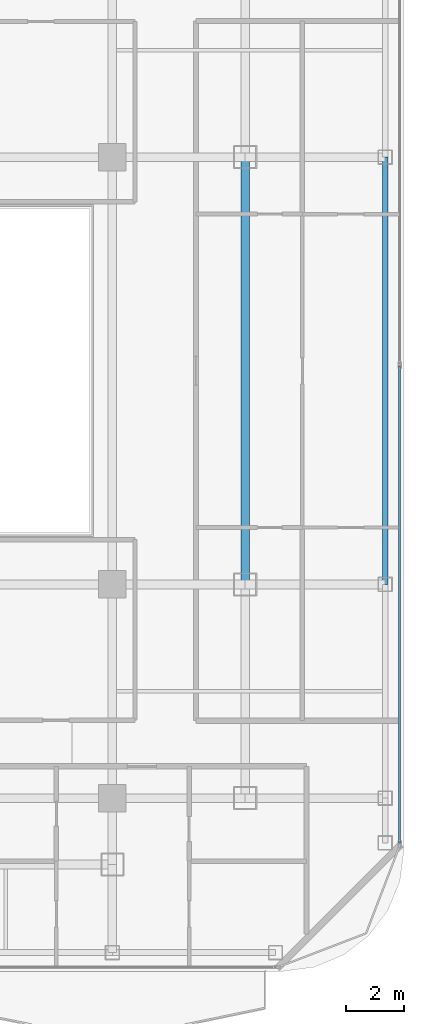
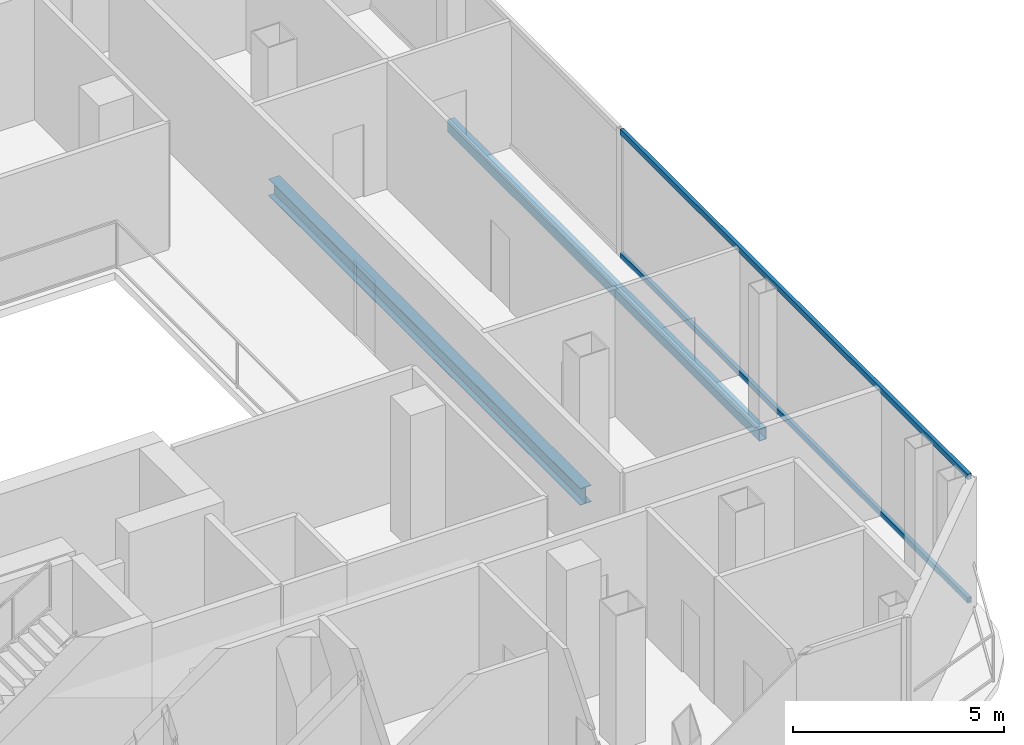
# One storey, part 8 of 23: 2 beams, 2 members, 1 element without a shape of its own.
"""IFC4 building model written with IfcOpenShell, lengths in metres."""

import ifcopenshell
import ifcopenshell.guid

model = None  # the IFC model being written
_history = None  # IfcOwnerHistory: only IFC2X3 demands one
_inside = {}  # id of a spatial element -> (the spatial element, [elements in it])
_under = {}  # id of a project, library or spatial element -> (it, [spatial elements below it])
_declared = {}  # id of a project -> (the project, [libraries it declares])
_typed = {}  # id of a type object -> (the type object, [elements of that type])
_made_of = {}  # id of a material, layer set ... -> (it, [elements and type objects made of it])


def new_model(schema):
    """Start an empty IFC model of exactly this schema.

    Asked for "IFC4X3", IfcOpenShell would pick the latest addendum, in which some entities
    have other attributes; the version numbers below select the first issue.
    IFC2X3 requires an IfcOwnerHistory on every rooted entity: one is made here for all.
    """
    global model, _history
    if schema == "IFC4X3":
        model = ifcopenshell.file(schema_version=(4, 3, 0, 0))
    else:
        model = ifcopenshell.file(schema=schema)
    _inside.clear()
    _under.clear()
    _declared.clear()
    _typed.clear()
    _made_of.clear()
    _history = None
    if model.schema == "IFC2X3":
        org = make("IfcOrganization", Name="unknown")
        user = make(
            "IfcPersonAndOrganization",
            ThePerson=make("IfcPerson", FamilyName="unknown"),
            TheOrganization=org,
        )
        app = make(
            "IfcApplication",
            ApplicationDeveloper=org,
            Version="unknown",
            ApplicationFullName="unknown",
            ApplicationIdentifier="unknown",
        )
        _history = make(
            "IfcOwnerHistory",
            OwningUser=user,
            OwningApplication=app,
            ChangeAction="ADDED",
            CreationDate=0,
        )
    return model


def make(cls, **values):
    """One entity of the class cls with the attributes given. An attribute that is None is left unset."""
    return model.create_entity(
        cls, **{name: value for name, value in values.items() if value is not None}
    )


def rooted(cls, **values):
    """An entity with a GlobalId (a new one), such as an element, a storey or a relation."""
    return make(cls, GlobalId=ifcopenshell.guid.new(), OwnerHistory=_history, **values)


def si_unit(unit_type, name, prefix=None):
    """IfcSIUnit, for example si_unit("LENGTHUNIT", "METRE", prefix="MILLI")."""
    return make("IfcSIUnit", UnitType=unit_type, Prefix=prefix, Name=name)


def assignment(units):
    """IfcUnitAssignment: the units of a project."""
    return None if units is None else make("IfcUnitAssignment", Units=units)


def point(xyz):
    """IfcCartesianPoint."""
    return None if xyz is None else make("IfcCartesianPoint", Coordinates=xyz)


def direction(xyz):
    """IfcDirection."""
    return None if xyz is None else make("IfcDirection", DirectionRatios=xyz)


def frame(location, z_axis=None, x_axis=None):
    """IfcAxis2Placement3D, a coordinate frame: its origin and axes. An axis left out is left unset."""
    return make(
        "IfcAxis2Placement3D",
        Location=point(location),
        Axis=direction(z_axis),
        RefDirection=direction(x_axis),
    )


def frame_2d(location, x_axis=None):
    """IfcAxis2Placement2D, a coordinate frame in the plane: its origin and x axis."""
    return make(
        "IfcAxis2Placement2D", Location=point(location), RefDirection=direction(x_axis)
    )


def origin():
    """The frame at (0, 0, 0) with its axes left unset."""
    return frame((0.0, 0.0, 0.0))


def origin_2d():
    """The frame at (0, 0) in the plane with its x axis left unset."""
    return frame_2d((0.0, 0.0))


def place(relative_to, where):
    """IfcLocalPlacement: puts the frame where relative to a parent placement (None: the world)."""
    return make(
        "IfcLocalPlacement", PlacementRelTo=relative_to, RelativePlacement=where
    )


def context(
    kind, dimensions, precision=None, world=None, true_north=None, identifier=None
):
    """IfcGeometricRepresentationContext, for example the 3D "Model" context."""
    return make(
        "IfcGeometricRepresentationContext",
        ContextIdentifier=identifier,
        ContextType=kind,
        CoordinateSpaceDimension=dimensions,
        Precision=precision,
        WorldCoordinateSystem=world,
        TrueNorth=true_north,
    )


def subcontext(parent, identifier, kind, view, scale=None):
    """IfcGeometricRepresentationSubContext, for example "Body" below "Model"."""
    return make(
        "IfcGeometricRepresentationSubContext",
        ContextIdentifier=identifier,
        ContextType=kind,
        ParentContext=parent,
        TargetScale=scale,
        TargetView=view,
    )


def project(units=None, contexts=None):
    """IfcProject with its units and contexts."""
    return rooted(
        "IfcProject",
        Name="project",
        RepresentationContexts=contexts,
        UnitsInContext=assignment(units),
    )


def spatial(cls, under=None, at=None, **own):
    """A site, building, storey or space (cls), placed at a placement, below another one or the project."""
    s = rooted(cls, ObjectPlacement=at, **own)
    if under is not None:
        _under.setdefault(under.id(), (under, []))[1].append(s)
    return s


def profile(cls, at=None, kind="AREA", **sizes):
    """A parametric profile (cls). Its sizes go by their IFC names, for example OverallWidth=200.0."""
    return make(cls, ProfileType=kind, Position=at, **sizes)


def hollow_rectangle(**sizes):
    """IfcRectangleHollowProfileDef."""
    return profile("IfcRectangleHollowProfileDef", **sizes)


def i_section(**sizes):
    """IfcIShapeProfileDef."""
    return profile("IfcIShapeProfileDef", **sizes)


def extrude(swept, where, along, depth):
    """IfcExtrudedAreaSolid: the profile swept, set in the frame where, extruded along a direction by depth."""
    return make(
        "IfcExtrudedAreaSolid",
        SweptArea=swept,
        Position=where,
        ExtrudedDirection=direction(along),
        Depth=depth,
    )


def shape(context_of_items, identifier, shape_type, items):
    """IfcShapeRepresentation: the items that make up one representation, for example the "Body"."""
    return make(
        "IfcShapeRepresentation",
        ContextOfItems=context_of_items,
        RepresentationIdentifier=identifier,
        RepresentationType=shape_type,
        Items=items,
    )


def material(Name=None, Category=None):
    """IfcMaterial."""
    return make("IfcMaterial", Name=Name, Category=Category)


def layer(
    of_material, thickness, ventilated=None, Name=None, Category=None, Priority=None
):
    """IfcMaterialLayer: one layer of a wall or slab, of a material (None: an air gap)."""
    return make(
        "IfcMaterialLayer",
        Material=of_material,
        LayerThickness=thickness,
        IsVentilated=ventilated,
        Name=Name,
        Category=Category,
        Priority=Priority,
    )


def layer_set(layers, Name=None):
    """IfcMaterialLayerSet."""
    return make("IfcMaterialLayerSet", MaterialLayers=layers, LayerSetName=Name)


def material_profile(
    of_material, cross_section, Name=None, Category=None, Priority=None
):
    """IfcMaterialProfile: a cross section and its material."""
    return make(
        "IfcMaterialProfile",
        Name=Name,
        Material=of_material,
        Profile=cross_section,
        Priority=Priority,
        Category=Category,
    )


def profile_set(profiles, Name=None, composite=None):
    """IfcMaterialProfileSet."""
    return make(
        "IfcMaterialProfileSet",
        Name=Name,
        MaterialProfiles=profiles,
        CompositeProfile=composite,
    )


def made_of(thing, what):
    """Note that an element or type object is made of a material, layer set ...; save() writes the relation."""
    if what is not None:
        _made_of.setdefault(what.id(), (what, []))[1].append(thing)
    return thing


def type_object(cls, material=None, **own):
    """A type object (cls), such as IfcWallType, which elements share."""
    return made_of(rooted(cls, **own), material)


def element(
    cls,
    number,
    at=None,
    inside=None,
    cuts=None,
    type_object=None,
    material=None,
    context=None,
    identifier="Body",
    shape_type=None,
    held_by="IfcProductDefinitionShape",
    body=None,
    shapes=None,
    **own,
):
    """One element of the class cls, such as IfcWall. Its Tag is "e" and its number.

    at: its placement. inside: the storey or other place that contains it. cuts: it is an
    opening in that element (IfcRelVoidsElement). A single representation is given by context,
    identifier, shape_type and body (its items); several are given by shapes. held_by: the class
    of the entity that holds the representations. save() writes the other relations.
    """
    e = rooted(cls, Tag="e%d" % number, ObjectPlacement=at, **own)
    if body is not None:
        shapes = [shape(context, identifier, shape_type, body)]
    if shapes is not None:
        e.Representation = make(held_by, Representations=shapes)
    if inside is not None:
        _inside.setdefault(inside.id(), (inside, []))[1].append(e)
    if cuts is not None:
        rooted(
            "IfcRelVoidsElement", RelatingBuildingElement=cuts, RelatedOpeningElement=e
        )
    if type_object is not None:
        _typed.setdefault(type_object.id(), (type_object, []))[1].append(e)
    return made_of(e, material)


def aggregate(whole, parts):
    """IfcRelAggregates: a whole, such as a stair, and the parts it consists of."""
    return rooted("IfcRelAggregates", RelatingObject=whole, RelatedObjects=parts)


def save(model, path):
    """Write the relations noted so far, then the file.

    IfcRelAggregates (storeys below a building ...), IfcRelContainedInSpatialStructure (elements
    in a storey), IfcRelDefinesByType, IfcRelAssociatesMaterial and IfcRelDeclares: one each for
    every whole, place, type object, material and project.
    """
    for whole, parts in _under.values():
        aggregate(whole, parts)
    for where, things in _inside.values():
        rooted(
            "IfcRelContainedInSpatialStructure",
            RelatedElements=things,
            RelatingStructure=where,
        )
    for kind, things in _typed.values():
        rooted("IfcRelDefinesByType", RelatedObjects=things, RelatingType=kind)
    for what, things in _made_of.values():
        rooted("IfcRelAssociatesMaterial", RelatedObjects=things, RelatingMaterial=what)
    for by, libraries in _declared.values():
        rooted("IfcRelDeclares", RelatingContext=by, RelatedDefinitions=libraries)
    model.write(path)


model = new_model("IFC4")

# Units and contexts
model_context = context("Model", 3, precision=1e-05, world=origin(), true_north=direction((0.0, 1.0)))
body_context = subcontext(model_context, "Body", "Model", "MODEL_VIEW")
ifc_project = project(units=[si_unit("LENGTHUNIT", "METRE"), si_unit("AREAUNIT", "SQUARE_METRE"), si_unit("VOLUMEUNIT", "CUBIC_METRE"), si_unit("PLANEANGLEUNIT", "RADIAN"), si_unit("MASSUNIT", "GRAM", prefix="KILO")], contexts=[model_context])

# Site, building, storey
site_placement = place(None, origin())
site = spatial("IfcSite", under=ifc_project, at=site_placement, CompositionType="ELEMENT")
building_placement = place(site_placement, origin())
building = spatial("IfcBuilding", under=site, at=building_placement, Name="Khorvyn Point Tower", CompositionType="ELEMENT")
storey_placement = place(building_placement, frame((0.0, 0.0, 274.199951171875)))
storey = spatial("IfcBuildingStorey", under=building, at=storey_placement, Name="L67", CompositionType="ELEMENT", Elevation=274.199951171875)

# Curtain wall, members
ifc_material_1 = material(Name="Anodised aluminium 6063-T6 and laminated Low-E glass", Category="aluminium")
ifc_layer = layer(ifc_material_1, 0.18994140625)
ifc_layer_set = layer_set([ifc_layer], Name="Stick-Built High-Wind Curtain Wall CW-SYS-04")
curtain_wall_type = type_object("IfcCurtainWallType", Name="Stick-Built High-Wind Curtain Wall CW-SYS-04", PredefinedType="NOTDEFINED", material=ifc_layer_set)
curtain_wall_placement = place(storey_placement, origin())
curtain_wall = element("IfcCurtainWall", 1, at=curtain_wall_placement, inside=storey, type_object=curtain_wall_type, Name="Curtain Wall", PredefinedType="NOTDEFINED")
ifc_material_2 = material(Name="Anodised aluminium 6063-T6", Category="aluminium")
ifc_material_profile_1 = material_profile(ifc_material_2, hollow_rectangle(XDim=0.10009765625, YDim=0.159912109375, WallThickness=0.00439453125, at=origin_2d()))
ifc_profile_set_1 = profile_set([ifc_material_profile_1], Name="Anodised aluminium 6063-T6 ALU-TRN-100x160")
member_type = type_object("IfcMemberType", Name="Anodised Aluminium 6063-T6 Transom ALU-TRN-100x160", PredefinedType="USERDEFINED", material=ifc_profile_set_1)
member_1_placement = place(storey_placement, frame((24.75, 0.14990234375, 0.050048828125), z_axis=(0.0, -1.0, 0.0), x_axis=(1.0, 0.0, 0.0)))
member_1 = element("IfcMember", 2, at=member_1_placement, type_object=member_type, Name="Transom", ObjectType="TRANSOM", PredefinedType="USERDEFINED", context=body_context, shape_type="SweptSolid", body=[
    extrude(hollow_rectangle(XDim=0.10009765625, YDim=0.159912109375, WallThickness=0.00439453125, at=origin_2d()), origin(), (0.0, 0.0, 1.0), 16.5),
])
member_2_placement = place(storey_placement, frame((24.75, 0.14990234375, 3.630126953125), z_axis=(0.0, -1.0, 0.0), x_axis=(1.0, 0.0, 0.0)))
member_2 = element("IfcMember", 3, at=member_2_placement, type_object=member_type, Name="Transom", ObjectType="TRANSOM", PredefinedType="USERDEFINED", context=body_context, shape_type="SweptSolid", body=[
    extrude(hollow_rectangle(XDim=0.10009765625, YDim=0.159912109375, WallThickness=0.00439453125, at=origin_2d()), origin(), (0.0, 0.0, 1.0), 16.5),
])
aggregate(curtain_wall, [member_1, member_2])

# Beams
ifc_material_3 = material(Name="Steel S355", Category="steel")
ifc_material_profile_2 = material_profile(ifc_material_3, i_section(OverallWidth=0.300048828125, OverallDepth=0.488037109375, WebThickness=0.010986328125, FlangeThickness=0.01806640625, at=origin_2d()))
ifc_profile_set_2 = profile_set([ifc_material_profile_2], Name="Steel S355 H488x300x11x18")
beam_type_1 = type_object("IfcBeamType", Name="Steel S355 Spandrel H488x300x11x18", PredefinedType="SPANDREL", material=ifc_profile_set_2)
beam_1_placement = place(storey_placement, frame((19.39990234375, -7.39990234375, -0.4638671875), z_axis=(0.0, 1.0, 0.0), x_axis=(-1.0, 0.0, 0.0)))
element("IfcBeam", 4, at=beam_1_placement, inside=storey, type_object=beam_type_1, Name="Beam", PredefinedType="SPANDREL", context=body_context, shape_type="SweptSolid", body=[
    extrude(i_section(OverallWidth=0.300048828125, OverallDepth=0.488037109375, WebThickness=0.010986328125, FlangeThickness=0.01806640625, at=origin_2d()), origin(), (0.0, 0.0, 1.0), 14.7998046875),
])
ifc_material_profile_3 = material_profile(ifc_material_3, hollow_rectangle(XDim=0.199951171875, YDim=0.35009765625, WallThickness=0.013916015625, at=origin_2d()))
ifc_profile_set_3 = profile_set([ifc_material_profile_3], Name="Steel S355 RHS350x200x14")
beam_type_2 = type_object("IfcBeamType", Name="Steel S355 Spandrel RHS350x200x14", PredefinedType="SPANDREL", material=ifc_profile_set_3)
beam_2_placement = place(storey_placement, frame((24.25, -7.39990234375, -0.39501953125), z_axis=(0.0, 1.0, 0.0), x_axis=(-1.0, 0.0, 0.0)))
element("IfcBeam", 5, at=beam_2_placement, inside=storey, type_object=beam_type_2, Name="Beam", PredefinedType="SPANDREL", context=body_context, shape_type="SweptSolid", body=[
    extrude(hollow_rectangle(XDim=0.199951171875, YDim=0.35009765625, WallThickness=0.013916015625, at=origin_2d()), origin(), (0.0, 0.0, 1.0), 14.7998046875),
])

save(model, "model.ifc")
